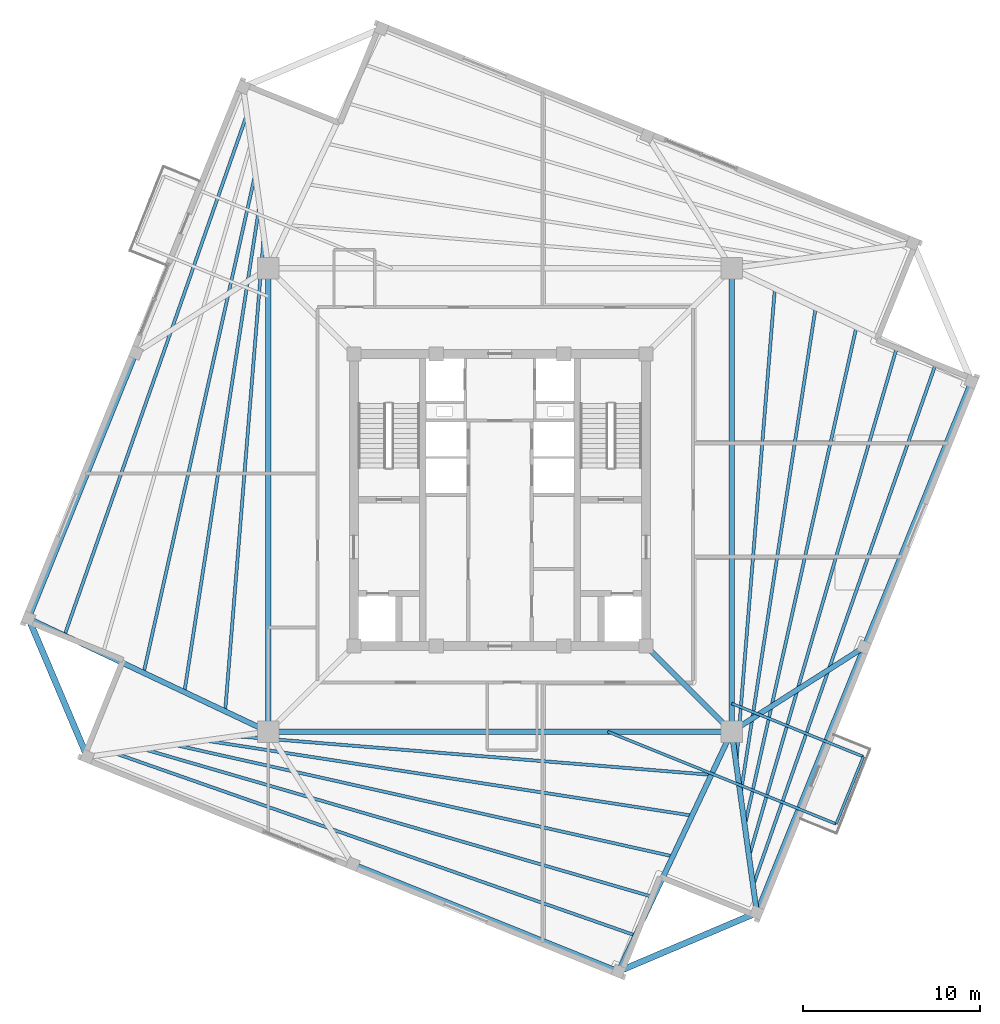
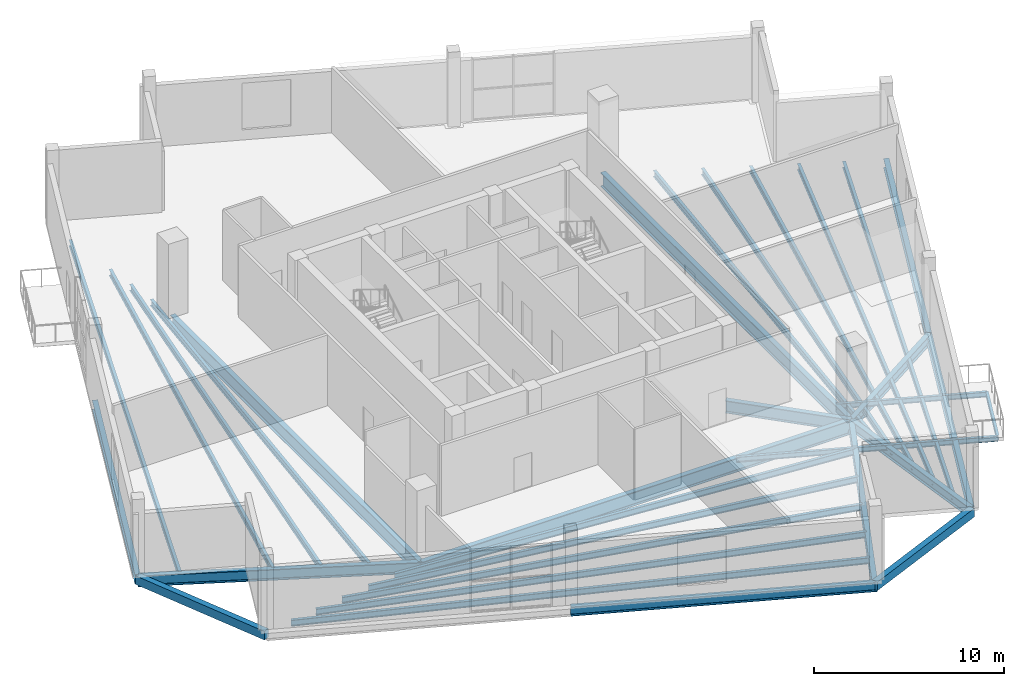
# One storey, part 3 of 12: 31 beams.
"""IFC4 building model written with IfcOpenShell, lengths in metres."""

from ifc_helpers import new_model, si_unit, direction, frame, origin, origin_2d, place, context, subcontext, project, spatial, rectangle, i_section, extrude, source, transform, mapped, material, material_profile, profile_set, type_object, element, save


model = new_model("IFC4")

# Units and contexts
model_context = context("Model", 3, precision=1e-05, world=origin(), true_north=direction((0.0, 1.0)))
body_context = subcontext(model_context, "Body", "Model", "MODEL_VIEW")
ifc_project = project(units=[si_unit("LENGTHUNIT", "METRE"), si_unit("AREAUNIT", "SQUARE_METRE"), si_unit("VOLUMEUNIT", "CUBIC_METRE"), si_unit("PLANEANGLEUNIT", "RADIAN"), si_unit("MASSUNIT", "GRAM", prefix="KILO"), si_unit("THERMODYNAMICTEMPERATUREUNIT", "KELVIN")], contexts=[model_context])

# Site, building, storey
site_placement = place(None, origin())
site = spatial("IfcSite", under=ifc_project, at=site_placement, CompositionType="ELEMENT")
building_placement = place(site_placement, origin())
building = spatial("IfcBuilding", under=site, at=building_placement, Name="Kosmvard Interchange Tower", CompositionType="ELEMENT")
storey_placement = place(building_placement, frame((0.0, 0.0, 312.0)))
storey = spatial("IfcBuildingStorey", under=building, at=storey_placement, Name="L77", CompositionType="ELEMENT", Elevation=312.0)

# Beams
ifc_material_1 = material(Name="Steel S355", Category="steel")
ifc_material_profile_1 = material_profile(ifc_material_1, i_section(OverallWidth=0.14990234375, OverallDepth=0.300048828125, WebThickness=0.007080078125, FlangeThickness=0.0107421875, FilletRadius=0.014892578125, at=origin_2d()), Name="IPE 300")
ifc_profile_set_1 = profile_set([ifc_material_profile_1], Name="Steel S355")
beam_type_1 = type_object("IfcBeamType", Name="Balcony Edge Header Joist IPE 300 S355", PredefinedType="JOIST", material=ifc_profile_set_1)
shared_shape_1 = source(origin(), body_context, "Body", "SweptSolid", [
    extrude(i_section(OverallWidth=0.14990234375, OverallDepth=0.300048828125, WebThickness=0.007080078125, FlangeThickness=0.0107421875, FilletRadius=0.014892578125, at=origin_2d()), origin(), (0.0, 0.0, 1.0), 4.10009765625),
])
beam_1_placement = place(storey_placement, frame((18.979736328125, -18.2919921875, -0.39990234375), z_axis=(0.37460186541, 0.927185764791, 0.0), x_axis=(-0.927185764791, 0.37460186541, 0.0)))
element("IfcBeam", 1, at=beam_1_placement, inside=storey, type_object=beam_type_1, Name="BM-L77-BJH2", PredefinedType="JOIST", context=body_context, shape_type="MappedRepresentation", body=[
    mapped(shared_shape_1, transform((0.0, 0.0, 0.0), scale=1.0)),
])
ifc_material_profile_2 = material_profile(ifc_material_1, i_section(OverallWidth=0.300048828125, OverallDepth=0.800048828125, WebThickness=0.017578125, FlangeThickness=0.032958984375, FilletRadius=0.027099609375, at=origin_2d()), Name="HEB 800")
ifc_profile_set_2 = profile_set([ifc_material_profile_2], Name="Steel S355")
beam_type_2 = type_object("IfcBeamType", Name="Primary Mega-Frame Girder HEB 800 S355", PredefinedType="BEAM", material=ifc_profile_set_2)
shared_shape_2 = source(origin(), body_context, "Body", "SweptSolid", [
    extrude(i_section(OverallWidth=0.300048828125, OverallDepth=0.800048828125, WebThickness=0.017578125, FlangeThickness=0.032958984375, FilletRadius=0.027099609375, at=origin_2d()), origin(), (0.0, 0.0, 1.0), 6.83203125),
])
beam_2_placement = place(storey_placement, frame((8.25, -8.25, -0.64990234375), z_axis=(0.707106781187, -0.707106781187, 0.0), x_axis=(0.707106781187, 0.707106781187, 0.0)))
element("IfcBeam", 2, at=beam_2_placement, inside=storey, type_object=beam_type_2, Name="L77 Radial Mega-Frame Girder 2", PredefinedType="BEAM", context=body_context, shape_type="MappedRepresentation", body=[
    mapped(shared_shape_2, transform((0.0, 0.0, 0.0), scale=1.0)),
])
ifc_material_profile_3 = material_profile(ifc_material_1, i_section(OverallWidth=0.300048828125, OverallDepth=0.89990234375, WebThickness=0.0185546875, FlangeThickness=0.034912109375, FilletRadius=0.030029296875, at=origin_2d()), Name="HEB 900")
ifc_profile_set_3 = profile_set([ifc_material_profile_3], Name="Steel S355")
beam_type_3 = type_object("IfcBeamType", Name="Mega-Column Ring Girder HEB 900 S355", PredefinedType="BEAM", material=ifc_profile_set_3)
shared_shape_3 = source(origin(), body_context, "Body", "SweptSolid", [
    extrude(i_section(OverallWidth=0.300048828125, OverallDepth=0.89990234375, WebThickness=0.0185546875, FlangeThickness=0.034912109375, FilletRadius=0.030029296875, at=origin_2d()), origin(), (0.0, 0.0, 1.0), 26.162109375),
])
for number, where, z_axis, x_axis, name in (
    (3, (-13.0810546875, -13.0810546875, -0.699951171875), (1.0, 0.0, 0.0), (0.0, 1.0, 0.0), "L77 Mega-Column Ring Girder 1"),
    (4, (13.0810546875, -13.0810546875, -0.699951171875), (0.0, 1.0, 0.0), (-1.0, 0.0, 0.0), "L77 Mega-Column Ring Girder 2"),
    (5, (-13.0810546875, 13.0810546875, -0.699951171875), (0.0, -1.0, 0.0), (1.0, 0.0, 0.0), "L77 Mega-Column Ring Girder 4"),
):
    element("IfcBeam", number, at=place(storey_placement, frame(where, z_axis=z_axis, x_axis=x_axis)), inside=storey, type_object=beam_type_3, Name=name, PredefinedType="BEAM", context=body_context, shape_type="MappedRepresentation", body=[
        mapped(shared_shape_3, transform((0.0, 0.0, 0.0), scale=1.0)),
    ])
ifc_material_profile_4 = material_profile(ifc_material_1, i_section(OverallWidth=0.159912109375, OverallDepth=0.330078125, WebThickness=0.007568359375, FlangeThickness=0.011474609375, FilletRadius=0.01806640625, at=origin_2d()), Name="IPE 330")
ifc_profile_set_4 = profile_set([ifc_material_profile_4], Name="Steel S355")
beam_type_4 = type_object("IfcBeamType", Name="Balcony Cantilever Joist IPE 330 S355", PredefinedType="JOIST", material=ifc_profile_set_4)
shared_shape_4 = source(origin(), body_context, "Body", "SweptSolid", [
    extrude(i_section(OverallWidth=0.159912109375, OverallDepth=0.330078125, WebThickness=0.007568359375, FlangeThickness=0.011474609375, FilletRadius=0.01806640625, at=origin_2d()), origin(), (0.0, 0.0, 1.0), 13.910400390625),
])
beam_3_placement = place(storey_placement, frame((6.082275390625, -13.0810546875, -0.4150390625), z_axis=(0.927183229475, -0.374608140568, 0.0), x_axis=(0.374608140568, 0.927183229475, 0.0)))
element("IfcBeam", 6, at=beam_3_placement, inside=storey, type_object=beam_type_4, Name="BM-L77-BJ2", PredefinedType="JOIST", context=body_context, shape_type="MappedRepresentation", body=[
    mapped(shared_shape_4, transform((0.0, 0.0, 0.0), scale=1.0)),
])
shared_shape_5 = source(origin(), body_context, "Body", "SweptSolid", [
    extrude(i_section(OverallWidth=0.159912109375, OverallDepth=0.330078125, WebThickness=0.007568359375, FlangeThickness=0.011474609375, FilletRadius=0.01806640625, at=origin_2d()), origin(), (0.0, 0.0, 1.0), 8.0185546875),
])
beam_4_placement = place(storey_placement, frame((13.0810546875, -11.486572265625, -0.4150390625), z_axis=(0.927177579424, -0.374622124564, 0.0), x_axis=(0.374622124564, 0.927177579424, 0.0)))
element("IfcBeam", 7, at=beam_4_placement, inside=storey, type_object=beam_type_4, Name="BM-L77-BJB2", PredefinedType="JOIST", context=body_context, shape_type="MappedRepresentation", body=[
    mapped(shared_shape_5, transform((0.0, 0.0, 0.0), scale=1.0)),
])
ifc_material_profile_5 = material_profile(ifc_material_1, i_section(OverallWidth=0.300048828125, OverallDepth=0.60009765625, WebThickness=0.015380859375, FlangeThickness=0.030029296875, FilletRadius=0.027099609375, at=origin_2d()), Name="HEB 600")
ifc_profile_set_5 = profile_set([ifc_material_profile_5], Name="Steel S355")
beam_type_5 = type_object("IfcBeamType", Name="Perimeter Tie Girder HEB 600 S355", PredefinedType="BEAM", material=ifc_profile_set_5)
shared_shape_6 = source(origin(), body_context, "Body", "SweptSolid", [
    extrude(i_section(OverallWidth=0.300048828125, OverallDepth=0.60009765625, WebThickness=0.015380859375, FlangeThickness=0.030029296875, FilletRadius=0.027099609375, at=origin_2d()), origin(), (0.0, 0.0, 1.0), 16.175048828125),
])
beam_5_placement = place(storey_placement, frame((14.5009765625, -23.30419921875, -0.550048828125), z_axis=(0.374607540279, 0.927183472009, 0.0), x_axis=(-0.927183472009, 0.374607540279, 0.0)))
element("IfcBeam", 8, at=beam_5_placement, inside=storey, type_object=beam_type_5, Name="BM-L77-PR01", PredefinedType="BEAM", context=body_context, shape_type="MappedRepresentation", body=[
    mapped(shared_shape_6, transform((0.0, 0.0, 0.0), scale=1.0)),
])
ifc_material_profile_6 = material_profile(ifc_material_1, i_section(OverallWidth=0.300048828125, OverallDepth=0.64990234375, WebThickness=0.01611328125, FlangeThickness=0.031005859375, FilletRadius=0.027099609375, at=origin_2d()), Name="HEB 650")
ifc_profile_set_6 = profile_set([ifc_material_profile_6], Name="Steel S355")
beam_type_6 = type_object("IfcBeamType", Name="Primary Floor Girder HEB 650 S355", PredefinedType="BEAM", material=ifc_profile_set_6)
shared_shape_7 = source(origin(), body_context, "Body", "SweptSolid", [
    extrude(i_section(OverallWidth=0.300048828125, OverallDepth=0.64990234375, WebThickness=0.01611328125, FlangeThickness=0.031005859375, FilletRadius=0.027099609375, at=origin_2d()), origin(), (0.0, 0.0, 1.0), 10.3212890625),
])
beam_6_placement = place(storey_placement, frame((13.0810546875, -13.0810546875, -0.574951171875), z_axis=(0.137572239014, -0.990491735984, 0.0), x_axis=(0.990491735984, 0.137572239014, 0.0)))
element("IfcBeam", 9, at=beam_6_placement, inside=storey, type_object=beam_type_6, Name="BM-L77-RD01", PredefinedType="BEAM", context=body_context, shape_type="MappedRepresentation", body=[
    mapped(shared_shape_7, transform((0.0, 0.0, 0.0), scale=1.0)),
])
shared_shape_8 = source(origin(), body_context, "Body", "SweptSolid", [
    extrude(i_section(OverallWidth=0.300048828125, OverallDepth=0.60009765625, WebThickness=0.015380859375, FlangeThickness=0.030029296875, FilletRadius=0.027099609375, at=origin_2d()), origin(), (0.0, 0.0, 1.0), 16.1748046875),
])
for number, where, z_axis, x_axis, name in (
    (10, (20.560302734375, -8.306884765625, -0.550048828125), (0.374612782798, 0.92718135387, 0.0), (-0.92718135387, 0.374612782798, 0.0), "BM-L77-PR02"),
    (11, (-20.560302734375, 8.306884765625, -0.550048828125), (-0.374612782798, -0.92718135387, 0.0), (0.92718135387, -0.374612782798, 0.0), "BM-L77-PR08"),
    (12, (-8.306884765625, -20.560302734375, -0.550048828125), (0.92718135387, -0.374612782798, 0.0), (0.374612782798, 0.92718135387, 0.0), "BM-L77-PR11"),
):
    element("IfcBeam", number, at=place(storey_placement, frame(where, z_axis=z_axis, x_axis=x_axis)), inside=storey, type_object=beam_type_5, Name=name, PredefinedType="BEAM", context=body_context, shape_type="MappedRepresentation", body=[
        mapped(shared_shape_8, transform((0.0, 0.0, 0.0), scale=1.0)),
    ])
shared_shape_9 = source(origin(), body_context, "Body", "SweptSolid", [
    extrude(i_section(OverallWidth=0.300048828125, OverallDepth=0.64990234375, WebThickness=0.01611328125, FlangeThickness=0.031005859375, FilletRadius=0.027099609375, at=origin_2d()), origin(), (0.0, 0.0, 1.0), 8.873046875),
])
beam_7_placement = place(storey_placement, frame((13.0810546875, -13.0810546875, -0.574951171875), z_axis=(0.842912916934, 0.538050011119, 0.0), x_axis=(-0.538050011119, 0.842912916934, 0.0)))
element("IfcBeam", 13, at=beam_7_placement, inside=storey, type_object=beam_type_6, Name="BM-L77-RD02", PredefinedType="BEAM", context=body_context, shape_type="MappedRepresentation", body=[
    mapped(shared_shape_9, transform((0.0, 0.0, 0.0), scale=1.0)),
])
ifc_material_2 = material(Name="Precast concrete C45/55", Category="concrete")
ifc_material_profile_7 = material_profile(ifc_material_2, rectangle(XDim=0.35009765625, YDim=0.550048828125, at=origin_2d()), Name="SL 350x550")
ifc_profile_set_7 = profile_set([ifc_material_profile_7], Name="Precast concrete C45/55")
beam_type_7 = type_object("IfcBeamType", Name="Precast Spandrel Lintel 350x550 C45/55", PredefinedType="LINTEL", material=ifc_profile_set_7)
shared_shape_10 = source(origin(), body_context, "Body", "SweptSolid", [
    extrude(rectangle(XDim=0.35009765625, YDim=0.550048828125, at=origin_2d()), origin(), (0.0, 0.0, 1.0), 8.4853515625),
])
for number, where, z_axis, x_axis, name in (
    (14, (-26.61962890625, -6.690185546875, -0.52490234375), (0.390725696857, -0.920507159025, 0.0), (0.920507159025, 0.390725696857, 0.0), "BM-L77-SL3"),
    (15, (6.690185546875, -26.61962890625, -0.52490234375), (0.920507159025, 0.390725696857, 0.0), (-0.390725696857, 0.920507159025, 0.0), "BM-L77-SL4"),
):
    element("IfcBeam", number, at=place(storey_placement, frame(where, z_axis=z_axis, x_axis=x_axis)), inside=storey, type_object=beam_type_7, Name=name, PredefinedType="LINTEL", context=body_context, shape_type="MappedRepresentation", body=[
        mapped(shared_shape_10, transform((0.0, 0.0, 0.0), scale=1.0)),
    ])
ifc_material_profile_8 = material_profile(ifc_material_1, i_section(OverallWidth=0.300048828125, OverallDepth=0.699951171875, WebThickness=0.01708984375, FlangeThickness=0.031982421875, FilletRadius=0.027099609375, at=origin_2d()), Name="HEB 700")
ifc_profile_set_8 = profile_set([ifc_material_profile_8], Name="Steel S355")
beam_type_8 = type_object("IfcBeamType", Name="Primary Floor Girder HEB 700 S355", PredefinedType="BEAM", material=ifc_profile_set_8)
shared_shape_11 = source(origin(), body_context, "Body", "SweptSolid", [
    extrude(i_section(OverallWidth=0.300048828125, OverallDepth=0.699951171875, WebThickness=0.01708984375, FlangeThickness=0.031982421875, FilletRadius=0.027099609375, at=origin_2d()), origin(), (0.0, 0.0, 1.0), 14.97119140625),
])
for number, where, z_axis, x_axis, name in (
    (16, (-13.0810546875, -13.0810546875, -0.60009765625), (-0.904309155001, 0.426878146761, 0.0), (-0.426878146761, -0.904309155001, 0.0), "BM-L77-RD09"),
    (17, (13.0810546875, -13.0810546875, -0.60009765625), (-0.426878146761, -0.904309155001, 0.0), (0.904309155001, -0.426878146761, 0.0), "BM-L77-RD12"),
):
    element("IfcBeam", number, at=place(storey_placement, frame(where, z_axis=z_axis, x_axis=x_axis)), inside=storey, type_object=beam_type_8, Name=name, PredefinedType="BEAM", context=body_context, shape_type="MappedRepresentation", body=[
        mapped(shared_shape_11, transform((0.0, 0.0, 0.0), scale=1.0)),
    ])
ifc_material_profile_9 = material_profile(ifc_material_1, i_section(OverallWidth=0.179931640625, OverallDepth=0.39990234375, WebThickness=0.008544921875, FlangeThickness=0.013427734375, FilletRadius=0.02099609375, at=origin_2d()), Name="IPE 400")
ifc_profile_set_9 = profile_set([ifc_material_profile_9], Name="Steel S355")
beam_type_9 = type_object("IfcBeamType", Name="Upper-Zone Floor Joist IPE 400 S355", PredefinedType="JOIST", material=ifc_profile_set_9)
shared_shape_12 = source(origin(), body_context, "Body", "SweptSolid", [
    extrude(i_section(OverallWidth=0.179931640625, OverallDepth=0.39990234375, WebThickness=0.008544921875, FlangeThickness=0.013427734375, FilletRadius=0.02099609375, at=origin_2d()), origin(), (0.0, 0.0, 1.0), 26.780029296875),
])
for number, where, z_axis, x_axis, name in (
    (18, (13.343017578125, -14.84130859375, -0.449951171875), (0.080972773487, 0.996716313679, 0.0), (-0.996716313679, 0.080972773487, 0.0), "BM-L77-FJ01"),
    (19, (-13.343017578125, 14.84130859375, -0.449951171875), (-0.080972773487, -0.996716313679, 0.0), (0.996716313679, -0.080972773487, 0.0), "BM-L77-FJ11"),
    (20, (-14.84130859375, -13.343017578125, -0.449951171875), (0.996716313679, -0.080972773487, 0.0), (0.080972773487, 0.996716313679, 0.0), "BM-L77-FJ16"),
):
    element("IfcBeam", number, at=place(storey_placement, frame(where, z_axis=z_axis, x_axis=x_axis)), inside=storey, type_object=beam_type_9, Name=name, PredefinedType="JOIST", context=body_context, shape_type="MappedRepresentation", body=[
        mapped(shared_shape_12, transform((0.0, 0.0, 0.0), scale=1.0)),
    ])
shared_shape_13 = source(origin(), body_context, "Body", "SweptSolid", [
    extrude(i_section(OverallWidth=0.179931640625, OverallDepth=0.39990234375, WebThickness=0.008544921875, FlangeThickness=0.013427734375, FilletRadius=0.02099609375, at=origin_2d()), origin(), (0.0, 0.0, 1.0), 27.66845703125),
])
for number, where, z_axis, x_axis, name in (
    (21, (13.590087890625, -16.580078125, -0.449951171875), (0.152421855854, 0.988315525456, 0.0), (-0.988315525456, 0.152421855854, 0.0), "BM-L77-FJ02"),
    (22, (-13.590087890625, 16.580078125, -0.449951171875), (-0.152421855854, -0.988315525456, 0.0), (0.988315525456, -0.152421855854, 0.0), "BM-L77-FJ12"),
    (23, (-16.580078125, -13.590087890625, -0.449951171875), (0.988315525456, -0.152421855854, 0.0), (0.152421855854, 0.988315525456, 0.0), "BM-L77-FJ17"),
):
    element("IfcBeam", number, at=place(storey_placement, frame(where, z_axis=z_axis, x_axis=x_axis)), inside=storey, type_object=beam_type_9, Name=name, PredefinedType="JOIST", context=body_context, shape_type="MappedRepresentation", body=[
        mapped(shared_shape_13, transform((0.0, 0.0, 0.0), scale=1.0)),
    ])
shared_shape_14 = source(origin(), body_context, "Body", "SweptSolid", [
    extrude(i_section(OverallWidth=0.179931640625, OverallDepth=0.39990234375, WebThickness=0.008544921875, FlangeThickness=0.013427734375, FilletRadius=0.02099609375, at=origin_2d()), origin(), (0.0, 0.0, 1.0), 28.691162109375),
])
for number, where, z_axis, x_axis, name in (
    (24, (13.8369140625, -18.31884765625, -0.449951171875), (0.218415018158, 0.975855972899, 0.0), (-0.975855972899, 0.218415018158, 0.0), "BM-L77-FJ03"),
    (25, (-13.8369140625, 18.31884765625, -0.449951171875), (-0.218415018158, -0.975855972899, 0.0), (0.975855972899, -0.218415018158, 0.0), "BM-L77-FJ13"),
    (26, (-18.31884765625, -13.8369140625, -0.449951171875), (0.975855972899, -0.218415018158, 0.0), (0.218415018158, 0.975855972899, 0.0), "BM-L77-FJ18"),
):
    element("IfcBeam", number, at=place(storey_placement, frame(where, z_axis=z_axis, x_axis=x_axis)), inside=storey, type_object=beam_type_9, Name=name, PredefinedType="JOIST", context=body_context, shape_type="MappedRepresentation", body=[
        mapped(shared_shape_14, transform((0.0, 0.0, 0.0), scale=1.0)),
    ])
shared_shape_15 = source(origin(), body_context, "Body", "SweptSolid", [
    extrude(i_section(OverallWidth=0.179931640625, OverallDepth=0.39990234375, WebThickness=0.008544921875, FlangeThickness=0.013427734375, FilletRadius=0.02099609375, at=origin_2d()), origin(), (0.0, 0.0, 1.0), 29.83544921875),
])
for number, where, z_axis, x_axis, name in (
    (27, (14.0830078125, -20.05810546875, -0.449951171875), (0.27877586881, 0.960356191717, 0.0), (-0.960356191717, 0.27877586881, 0.0), "BM-L77-FJ04"),
    (28, (-20.05810546875, -14.0830078125, -0.449951171875), (0.960356191717, -0.27877586881, 0.0), (0.27877586881, 0.960356191717, 0.0), "BM-L77-FJ19"),
):
    element("IfcBeam", number, at=place(storey_placement, frame(where, z_axis=z_axis, x_axis=x_axis)), inside=storey, type_object=beam_type_9, Name=name, PredefinedType="JOIST", context=body_context, shape_type="MappedRepresentation", body=[
        mapped(shared_shape_15, transform((0.0, 0.0, 0.0), scale=1.0)),
    ])
shared_shape_16 = source(origin(), body_context, "Body", "SweptSolid", [
    extrude(i_section(OverallWidth=0.179931640625, OverallDepth=0.39990234375, WebThickness=0.008544921875, FlangeThickness=0.013427734375, FilletRadius=0.02099609375, at=origin_2d()), origin(), (0.0, 0.0, 1.0), 31.0107421875),
])
for number, where, z_axis, x_axis, name in (
    (29, (14.314453125, -21.695068359375, -0.449951171875), (0.330459834828, 0.943820055713, 0.0), (-0.943820055713, 0.330459834828, 0.0), "BM-L77-FJ05"),
    (30, (-14.314453125, 21.695068359375, -0.449951171875), (-0.330459834828, -0.943820055713, 0.0), (0.943820055713, -0.330459834828, 0.0), "BM-L77-FJ15"),
    (31, (-21.695068359375, -14.314453125, -0.449951171875), (0.943820055713, -0.330459834828, 0.0), (0.330459834828, 0.943820055713, 0.0), "BM-L77-FJ20"),
):
    element("IfcBeam", number, at=place(storey_placement, frame(where, z_axis=z_axis, x_axis=x_axis)), inside=storey, type_object=beam_type_9, Name=name, PredefinedType="JOIST", context=body_context, shape_type="MappedRepresentation", body=[
        mapped(shared_shape_16, transform((0.0, 0.0, 0.0), scale=1.0)),
    ])

save(model, "model.ifc")
